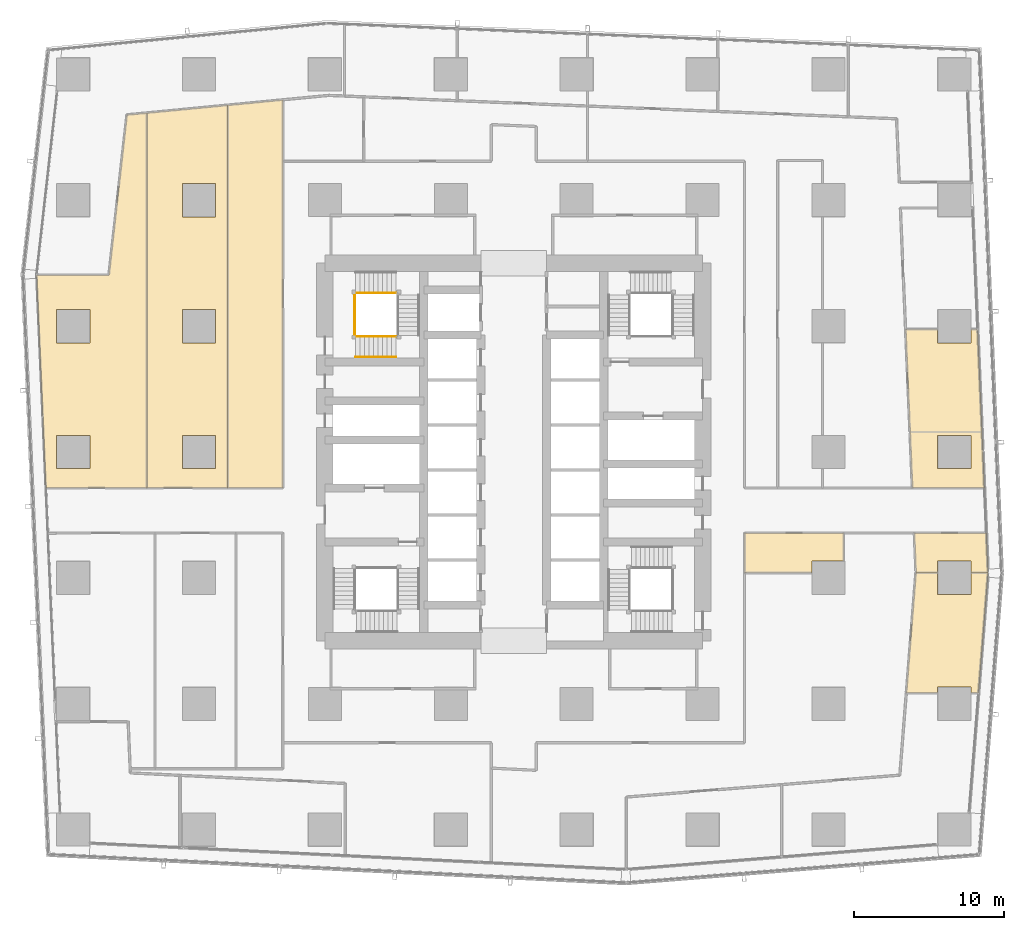
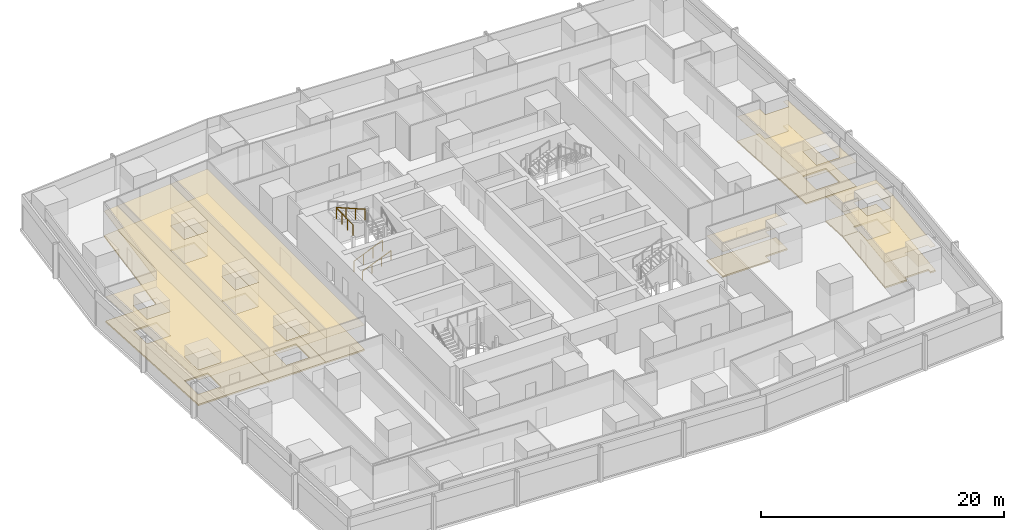
# One storey, part 40 of 44: 14 coverings, 4 railings.
"""IFC4 building model written with IfcOpenShell, lengths in metres."""

import ifcopenshell
import ifcopenshell.guid

model = None  # the IFC model being written
_history = None  # IfcOwnerHistory: only IFC2X3 demands one
_inside = {}  # id of a spatial element -> (the spatial element, [elements in it])
_under = {}  # id of a project, library or spatial element -> (it, [spatial elements below it])
_declared = {}  # id of a project -> (the project, [libraries it declares])
_typed = {}  # id of a type object -> (the type object, [elements of that type])
_made_of = {}  # id of a material, layer set ... -> (it, [elements and type objects made of it])


def new_model(schema):
    """Start an empty IFC model of exactly this schema.

    Asked for "IFC4X3", IfcOpenShell would pick the latest addendum, in which some entities
    have other attributes; the version numbers below select the first issue.
    IFC2X3 requires an IfcOwnerHistory on every rooted entity: one is made here for all.
    """
    global model, _history
    if schema == "IFC4X3":
        model = ifcopenshell.file(schema_version=(4, 3, 0, 0))
    else:
        model = ifcopenshell.file(schema=schema)
    _inside.clear()
    _under.clear()
    _declared.clear()
    _typed.clear()
    _made_of.clear()
    _history = None
    if model.schema == "IFC2X3":
        org = make("IfcOrganization", Name="unknown")
        user = make(
            "IfcPersonAndOrganization",
            ThePerson=make("IfcPerson", FamilyName="unknown"),
            TheOrganization=org,
        )
        app = make(
            "IfcApplication",
            ApplicationDeveloper=org,
            Version="unknown",
            ApplicationFullName="unknown",
            ApplicationIdentifier="unknown",
        )
        _history = make(
            "IfcOwnerHistory",
            OwningUser=user,
            OwningApplication=app,
            ChangeAction="ADDED",
            CreationDate=0,
        )
    return model


def make(cls, **values):
    """One entity of the class cls with the attributes given. An attribute that is None is left unset."""
    return model.create_entity(
        cls, **{name: value for name, value in values.items() if value is not None}
    )


def rooted(cls, **values):
    """An entity with a GlobalId (a new one), such as an element, a storey or a relation."""
    return make(cls, GlobalId=ifcopenshell.guid.new(), OwnerHistory=_history, **values)


def si_unit(unit_type, name, prefix=None):
    """IfcSIUnit, for example si_unit("LENGTHUNIT", "METRE", prefix="MILLI")."""
    return make("IfcSIUnit", UnitType=unit_type, Prefix=prefix, Name=name)


def assignment(units):
    """IfcUnitAssignment: the units of a project."""
    return None if units is None else make("IfcUnitAssignment", Units=units)


def point(xyz):
    """IfcCartesianPoint."""
    return None if xyz is None else make("IfcCartesianPoint", Coordinates=xyz)


def direction(xyz):
    """IfcDirection."""
    return None if xyz is None else make("IfcDirection", DirectionRatios=xyz)


def frame(location, z_axis=None, x_axis=None):
    """IfcAxis2Placement3D, a coordinate frame: its origin and axes. An axis left out is left unset."""
    return make(
        "IfcAxis2Placement3D",
        Location=point(location),
        Axis=direction(z_axis),
        RefDirection=direction(x_axis),
    )


def frame_2d(location, x_axis=None):
    """IfcAxis2Placement2D, a coordinate frame in the plane: its origin and x axis."""
    return make(
        "IfcAxis2Placement2D", Location=point(location), RefDirection=direction(x_axis)
    )


def origin():
    """The frame at (0, 0, 0) with its axes left unset."""
    return frame((0.0, 0.0, 0.0))


def origin_2d():
    """The frame at (0, 0) in the plane with its x axis left unset."""
    return frame_2d((0.0, 0.0))


def place(relative_to, where):
    """IfcLocalPlacement: puts the frame where relative to a parent placement (None: the world)."""
    return make(
        "IfcLocalPlacement", PlacementRelTo=relative_to, RelativePlacement=where
    )


def context(
    kind, dimensions, precision=None, world=None, true_north=None, identifier=None
):
    """IfcGeometricRepresentationContext, for example the 3D "Model" context."""
    return make(
        "IfcGeometricRepresentationContext",
        ContextIdentifier=identifier,
        ContextType=kind,
        CoordinateSpaceDimension=dimensions,
        Precision=precision,
        WorldCoordinateSystem=world,
        TrueNorth=true_north,
    )


def subcontext(parent, identifier, kind, view, scale=None):
    """IfcGeometricRepresentationSubContext, for example "Body" below "Model"."""
    return make(
        "IfcGeometricRepresentationSubContext",
        ContextIdentifier=identifier,
        ContextType=kind,
        ParentContext=parent,
        TargetScale=scale,
        TargetView=view,
    )


def project(units=None, contexts=None):
    """IfcProject with its units and contexts."""
    return rooted(
        "IfcProject",
        Name="project",
        RepresentationContexts=contexts,
        UnitsInContext=assignment(units),
    )


def spatial(cls, under=None, at=None, **own):
    """A site, building, storey or space (cls), placed at a placement, below another one or the project."""
    s = rooted(cls, ObjectPlacement=at, **own)
    if under is not None:
        _under.setdefault(under.id(), (under, []))[1].append(s)
    return s


def polyline(points):
    """IfcPolyline through the points."""
    return make("IfcPolyline", Points=[point(p) for p in points])


def profile(cls, at=None, kind="AREA", **sizes):
    """A parametric profile (cls). Its sizes go by their IFC names, for example OverallWidth=200.0."""
    return make(cls, ProfileType=kind, Position=at, **sizes)


def circle(**sizes):
    """IfcCircleProfileDef."""
    return profile("IfcCircleProfileDef", **sizes)


def outline(outer, holes=None, kind="AREA"):
    """IfcArbitraryClosedProfileDef: a profile drawn as a closed curve; with holes, ...WithVoids."""
    if holes is None:
        return make("IfcArbitraryClosedProfileDef", ProfileType=kind, OuterCurve=outer)
    return make(
        "IfcArbitraryProfileDefWithVoids",
        ProfileType=kind,
        OuterCurve=outer,
        InnerCurves=holes,
    )


def extrude(swept, where, along, depth):
    """IfcExtrudedAreaSolid: the profile swept, set in the frame where, extruded along a direction by depth."""
    return make(
        "IfcExtrudedAreaSolid",
        SweptArea=swept,
        Position=where,
        ExtrudedDirection=direction(along),
        Depth=depth,
    )


def shape(context_of_items, identifier, shape_type, items):
    """IfcShapeRepresentation: the items that make up one representation, for example the "Body"."""
    return make(
        "IfcShapeRepresentation",
        ContextOfItems=context_of_items,
        RepresentationIdentifier=identifier,
        RepresentationType=shape_type,
        Items=items,
    )


def material(Name=None, Category=None):
    """IfcMaterial."""
    return make("IfcMaterial", Name=Name, Category=Category)


def layer(
    of_material, thickness, ventilated=None, Name=None, Category=None, Priority=None
):
    """IfcMaterialLayer: one layer of a wall or slab, of a material (None: an air gap)."""
    return make(
        "IfcMaterialLayer",
        Material=of_material,
        LayerThickness=thickness,
        IsVentilated=ventilated,
        Name=Name,
        Category=Category,
        Priority=Priority,
    )


def layer_set(layers, Name=None):
    """IfcMaterialLayerSet."""
    return make("IfcMaterialLayerSet", MaterialLayers=layers, LayerSetName=Name)


def made_of(thing, what):
    """Note that an element or type object is made of a material, layer set ...; save() writes the relation."""
    if what is not None:
        _made_of.setdefault(what.id(), (what, []))[1].append(thing)
    return thing


def type_object(cls, material=None, **own):
    """A type object (cls), such as IfcWallType, which elements share."""
    return made_of(rooted(cls, **own), material)


def element(
    cls,
    number,
    at=None,
    inside=None,
    cuts=None,
    type_object=None,
    material=None,
    context=None,
    identifier="Body",
    shape_type=None,
    held_by="IfcProductDefinitionShape",
    body=None,
    shapes=None,
    **own,
):
    """One element of the class cls, such as IfcWall. Its Tag is "e" and its number.

    at: its placement. inside: the storey or other place that contains it. cuts: it is an
    opening in that element (IfcRelVoidsElement). A single representation is given by context,
    identifier, shape_type and body (its items); several are given by shapes. held_by: the class
    of the entity that holds the representations. save() writes the other relations.
    """
    e = rooted(cls, Tag="e%d" % number, ObjectPlacement=at, **own)
    if body is not None:
        shapes = [shape(context, identifier, shape_type, body)]
    if shapes is not None:
        e.Representation = make(held_by, Representations=shapes)
    if inside is not None:
        _inside.setdefault(inside.id(), (inside, []))[1].append(e)
    if cuts is not None:
        rooted(
            "IfcRelVoidsElement", RelatingBuildingElement=cuts, RelatedOpeningElement=e
        )
    if type_object is not None:
        _typed.setdefault(type_object.id(), (type_object, []))[1].append(e)
    return made_of(e, material)


def aggregate(whole, parts):
    """IfcRelAggregates: a whole, such as a stair, and the parts it consists of."""
    return rooted("IfcRelAggregates", RelatingObject=whole, RelatedObjects=parts)


def save(model, path):
    """Write the relations noted so far, then the file.

    IfcRelAggregates (storeys below a building ...), IfcRelContainedInSpatialStructure (elements
    in a storey), IfcRelDefinesByType, IfcRelAssociatesMaterial and IfcRelDeclares: one each for
    every whole, place, type object, material and project.
    """
    for whole, parts in _under.values():
        aggregate(whole, parts)
    for where, things in _inside.values():
        rooted(
            "IfcRelContainedInSpatialStructure",
            RelatedElements=things,
            RelatingStructure=where,
        )
    for kind, things in _typed.values():
        rooted("IfcRelDefinesByType", RelatedObjects=things, RelatingType=kind)
    for what, things in _made_of.values():
        rooted("IfcRelAssociatesMaterial", RelatedObjects=things, RelatingMaterial=what)
    for by, libraries in _declared.values():
        rooted("IfcRelDeclares", RelatingContext=by, RelatedDefinitions=libraries)
    model.write(path)


model = new_model("IFC4")

# Units and contexts
model_context = context("Model", 3, precision=1e-05, world=origin(), true_north=direction((0.0, 1.0)))
body_context = subcontext(model_context, "Body", "Model", "MODEL_VIEW")
ifc_project = project(units=[si_unit("LENGTHUNIT", "METRE"), si_unit("AREAUNIT", "SQUARE_METRE"), si_unit("VOLUMEUNIT", "CUBIC_METRE"), si_unit("PLANEANGLEUNIT", "RADIAN"), si_unit("MASSUNIT", "GRAM", prefix="KILO")], contexts=[model_context])

# Site, building, storey
site_placement = place(None, origin())
site = spatial("IfcSite", under=ifc_project, at=site_placement, CompositionType="ELEMENT")
building_placement = place(site_placement, origin())
building = spatial("IfcBuilding", under=site, at=building_placement, Name="Rekha Terrace Tower", CompositionType="ELEMENT")
storey_placement = place(building_placement, frame((0.0, 0.0, 47.89990234375)))
storey = spatial("IfcBuildingStorey", under=building, at=storey_placement, Name="L11", CompositionType="ELEMENT", Elevation=47.89990234375)

# Coverings
ifc_material_1 = material(Name="Mineral fibre tile in exposed grid", Category="finish")
ifc_layer_1 = layer(ifc_material_1, 0.02001953125)
ifc_layer_set_1 = layer_set([ifc_layer_1], Name="Mineral fibre tile in exposed grid")
covering_type_1 = type_object("IfcCoveringType", Name="CL1 600x1200 office grid ceiling", PredefinedType="CEILING", material=ifc_layer_set_1)
covering_1_placement = place(storey_placement, frame((0.0, 0.0, 2.580078125)))
element("IfcCovering", 1, at=covering_1_placement, inside=storey, type_object=covering_type_1, Name="Ceiling L11-04", PredefinedType="CEILING", context=body_context, shape_type="SweptSolid", body=[
    extrude(outline(polyline([(68.31494140625, 17.9150390625), (68.31494140625, 17.52392578125), (68.803955078125, 17.52392578125), (69.44091796875, 25.551025390625), (68.31494140625, 25.551025390625), (68.31494140625, 24.0849609375), (66.0849609375, 24.0849609375), (66.0849609375, 25.551025390625), (64.625, 25.551025390625), (63.989013671875, 17.52392578125), (66.0849609375, 17.52392578125), (66.0849609375, 17.9150390625), (68.31494140625, 17.9150390625)])), origin(), (0.0, 0.0, 1.0), 0.02001953125),
])
covering_2_placement = place(storey_placement, frame((0.0, 0.0, 2.580078125)))
element("IfcCovering", 2, at=covering_2_placement, inside=storey, type_object=covering_type_1, Name="Ceiling L11-05", PredefinedType="CEILING", context=body_context, shape_type="SweptSolid", body=[
    extrude(outline(polyline([(69.43701171875, 25.552001953125), (69.322998046875, 28.199951171875), (64.51904296875, 28.199951171875), (64.632080078125, 25.552001953125), (66.0849609375, 25.552001953125), (66.0849609375, 26.31494140625), (68.31494140625, 26.31494140625), (68.31494140625, 25.552001953125), (69.43701171875, 25.552001953125)])), origin(), (0.0, 0.0, 1.0), 0.02001953125),
])
covering_3_placement = place(storey_placement, frame((0.0, 0.0, 2.580078125)))
element("IfcCovering", 3, at=covering_3_placement, inside=storey, type_object=covering_type_1, Name="Ceiling L11-06", PredefinedType="CEILING", context=body_context, shape_type="SweptSolid", body=[
    extrude(outline(polyline([(59.800048828125, 26.31494140625), (59.800048828125, 28.199951171875), (53.199951171875, 28.199951171875), (53.199951171875, 25.552001953125), (57.68505859375, 25.552001953125), (57.68505859375, 26.31494140625), (59.800048828125, 26.31494140625)])), origin(), (0.0, 0.0, 1.0), 0.02001953125),
])
covering_4_placement = place(storey_placement, frame((0.0, 0.0, 2.580078125)))
element("IfcCovering", 4, at=covering_4_placement, inside=storey, type_object=covering_type_1, Name="Ceiling L11-07", PredefinedType="CEILING", context=body_context, shape_type="SweptSolid", body=[
    extrude(outline(polyline([(69.195068359375, 31.199951171875), (69.035888671875, 34.929931640625), (68.742919921875, 41.781005859375), (68.31494140625, 41.781005859375), (68.31494140625, 40.885009765625), (66.0849609375, 40.885009765625), (66.0849609375, 41.781005859375), (63.93896484375, 41.781005859375), (64.23193359375, 34.930908203125), (64.39111328125, 31.199951171875), (69.195068359375, 31.199951171875)]), holes=[polyline([(68.31494140625, 32.485107421875), (66.0849609375, 32.485107421875), (66.0849609375, 34.715087890625), (68.31494140625, 34.715087890625), (68.31494140625, 32.485107421875)])]), origin(), (0.0, 0.0, 1.0), 0.02001953125),
])
covering_5_placement = place(storey_placement, frame((0.0, 0.0, 2.580078125)))
element("IfcCovering", 5, at=covering_5_placement, inside=storey, type_object=covering_type_1, Name="Ceiling L11-17", PredefinedType="CEILING", context=body_context, shape_type="SweptSolid", body=[
    extrude(outline(polyline([(18.717041015625, 56.741943359375), (15.572021484375, 56.43994140625), (13.31689453125, 56.222900390625), (13.31689453125, 31.199951171875), (18.717041015625, 31.199951171875), (18.717041015625, 56.741943359375)]), holes=[polyline([(17.9150390625, 32.485107421875), (15.68505859375, 32.485107421875), (15.68505859375, 34.715087890625), (17.9150390625, 34.715087890625), (17.9150390625, 32.485107421875)]), polyline([(17.9150390625, 40.885009765625), (15.68505859375, 40.885009765625), (15.68505859375, 43.114990234375), (17.9150390625, 43.114990234375), (17.9150390625, 40.885009765625)]), polyline([(17.9150390625, 49.284912109375), (15.68505859375, 49.284912109375), (15.68505859375, 51.514892578125), (17.9150390625, 51.514892578125), (17.9150390625, 49.284912109375)])]), origin(), (0.0, 0.0, 1.0), 0.02001953125),
])
covering_6_placement = place(storey_placement, frame((0.0, 0.0, 2.580078125)))
element("IfcCovering", 6, at=covering_6_placement, inside=storey, type_object=covering_type_1, Name="Ceiling L11-18", PredefinedType="CEILING", context=body_context, shape_type="SweptSolid", body=[
    extrude(outline(polyline([(22.39990234375, 57.096923828125), (18.717041015625, 56.741943359375), (18.717041015625, 31.199951171875), (22.39990234375, 31.199951171875), (22.39990234375, 57.096923828125)])), origin(), (0.0, 0.0, 1.0), 0.02001953125),
])
covering_7_placement = place(storey_placement, frame((0.0, 0.0, 2.580078125)))
element("IfcCovering", 7, at=covering_7_placement, inside=storey, type_object=covering_type_1, Name="Ceiling L11-O4b", PredefinedType="CEILING", context=body_context, shape_type="SweptSolid", body=[
    extrude(outline(polyline([(13.31689453125, 56.222900390625), (11.989990234375, 56.095947265625), (10.7900390625, 45.412109375), (5.964111328125, 45.412109375), (6.5859375, 31.199951171875), (13.31689453125, 31.199951171875), (13.31689453125, 56.222900390625)]), holes=[polyline([(9.514892578125, 32.485107421875), (7.284912109375, 32.485107421875), (7.284912109375, 34.715087890625), (9.514892578125, 34.715087890625), (9.514892578125, 32.485107421875)]), polyline([(9.514892578125, 40.885009765625), (7.284912109375, 40.885009765625), (7.284912109375, 43.114990234375), (9.514892578125, 43.114990234375), (9.514892578125, 40.885009765625)])]), origin(), (0.0, 0.0, 1.0), 0.02001953125),
])

# Railings
ifc_material_2 = material(Name="Stainless steel balustrade", Category="steel")
railing_type_1 = type_object("IfcRailingType", Name="GR1 1100 stair guard", PredefinedType="GUARDRAIL", material=ifc_material_2)
railing_1_placement = place(storey_placement, frame((27.25, 41.31494140625, 0.125)))
element("IfcRailing", 8, at=railing_1_placement, inside=storey, type_object=railing_type_1, Name="Guard ST4 L11 flight 1", PredefinedType="GUARDRAIL", context=body_context, shape_type="SweptSolid", body=[
    extrude(circle(Radius=0.02392578125, at=origin_2d()), frame((0.0, 0.0, 1.076171875), z_axis=(0.923074453586, 0.0, 0.384621311341), x_axis=(0.0, 1.0, 0.0)), (0.0, 0.0, 1.0), 2.925048828125),
    extrude(circle(Radius=0.02099609375, at=origin_2d()), origin(), (0.0, 0.0, 1.0), 1.052001953125),
    extrude(circle(Radius=0.02099609375, at=origin_2d()), frame((0.89990234375, 0.0, 0.375)), (0.0, 0.0, 1.0), 1.052001953125),
    extrude(circle(Radius=0.02099609375, at=origin_2d()), frame((1.800048828125, 0.0, 0.75)), (0.0, 0.0, 1.0), 1.052001953125),
    extrude(circle(Radius=0.02099609375, at=origin_2d()), frame((2.699951171875, 0.0, 1.125)), (0.0, 0.0, 1.0), 1.052001953125),
])
railing_2_placement = place(storey_placement, frame((29.949951171875, 44.2099609375, 2.625)))
element("IfcRailing", 9, at=railing_2_placement, inside=storey, type_object=railing_type_1, Name="Guard ST4 L11 flight 3", PredefinedType="GUARDRAIL", context=body_context, shape_type="SweptSolid", body=[
    extrude(circle(Radius=0.02392578125, at=origin_2d()), frame((0.0, 0.0, 1.076171875), z_axis=(-0.923074453586, 0.0, 0.384621311341), x_axis=(0.0, -1.0, 0.0)), (0.0, 0.0, 1.0), 2.925048828125),
    extrude(circle(Radius=0.02099609375, at=origin_2d()), origin(), (0.0, 0.0, 1.0), 1.052001953125),
    extrude(circle(Radius=0.02099609375, at=origin_2d()), frame((-0.89990234375, 0.0, 0.375)), (0.0, 0.0, 1.0), 1.052001953125),
    extrude(circle(Radius=0.02099609375, at=origin_2d()), frame((-1.800048828125, 0.0, 0.75)), (0.0, 0.0, 1.0), 1.052001953125),
    extrude(circle(Radius=0.02099609375, at=origin_2d()), frame((-2.699951171875, 0.0, 1.125)), (0.0, 0.0, 1.0), 1.052001953125),
])
railing_3_placement = place(storey_placement, frame((27.18994140625, 41.375, 3.75)))
element("IfcRailing", 10, at=railing_3_placement, inside=storey, type_object=railing_type_1, Name="Guard ST4 L11 landing 4", PredefinedType="GUARDRAIL", context=body_context, shape_type="SweptSolid", body=[
    extrude(circle(Radius=0.02392578125, at=origin_2d()), frame((0.0, 0.0, 1.076171875), z_axis=(0.0, 1.0, 0.0), x_axis=(-1.0, 0.0, 0.0)), (0.0, 0.0, 1.0), 2.77490234375),
    extrude(circle(Radius=0.02099609375, at=origin_2d()), origin(), (0.0, 0.0, 1.0), 1.052001953125),
    extrude(circle(Radius=0.02099609375, at=origin_2d()), frame((0.0, 0.925048828125, 0.0)), (0.0, 0.0, 1.0), 1.052001953125),
    extrude(circle(Radius=0.02099609375, at=origin_2d()), frame((0.0, 1.849853515625, 0.0)), (0.0, 0.0, 1.0), 1.052001953125),
    extrude(circle(Radius=0.02099609375, at=origin_2d()), frame((0.0, 2.77490234375, 0.0)), (0.0, 0.0, 1.0), 1.052001953125),
])
ifc_material_3 = material(Name="Stainless steel tube", Category="steel")
railing_type_2 = type_object("IfcRailingType", Name="HR1 900 stair handrail", PredefinedType="HANDRAIL", material=ifc_material_3)
railing_4_placement = place(storey_placement, frame((27.25, 39.93505859375, 0.125)))
element("IfcRailing", 11, at=railing_4_placement, inside=storey, type_object=railing_type_2, Name="Handrail ST4 L11 flight 1", PredefinedType="HANDRAIL", context=body_context, shape_type="SweptSolid", body=[
    extrude(circle(Radius=0.02392578125, at=origin_2d()), frame((0.0, 0.0, 0.8759765625), z_axis=(0.923074453586, 0.0, 0.384621311341), x_axis=(0.0, 1.0, 0.0)), (0.0, 0.0, 1.0), 2.925048828125),
    extrude(circle(Radius=0.02099609375, at=origin_2d()), origin(), (0.0, 0.0, 1.0), 0.851806640625),
    extrude(circle(Radius=0.02099609375, at=origin_2d()), frame((0.89990234375, 0.0, 0.375)), (0.0, 0.0, 1.0), 0.851806640625),
    extrude(circle(Radius=0.02099609375, at=origin_2d()), frame((1.800048828125, 0.0, 0.75)), (0.0, 0.0, 1.0), 0.851806640625),
    extrude(circle(Radius=0.02099609375, at=origin_2d()), frame((2.699951171875, 0.0, 1.125)), (0.0, 0.0, 1.0), 0.851806640625),
])

# Coverings
ifc_material_4 = material(Name="Calcium sulphate panels on steel pedestals", Category="steel")
ifc_layer_2 = layer(ifc_material_4, 0.14990234375)
ifc_layer_set_2 = layer_set([ifc_layer_2], Name="Calcium sulphate panels on steel pedestals")
covering_type_2 = type_object("IfcCoveringType", Name="RF1 150 raised access floor", PredefinedType="FLOORING", material=ifc_layer_set_2)
covering_8_placement = place(storey_placement, origin())
element("IfcCovering", 12, at=covering_8_placement, inside=storey, type_object=covering_type_2, Name="Raised floor L11-04", PredefinedType="FLOORING", context=body_context, shape_type="SweptSolid", body=[
    extrude(outline(polyline([(68.31494140625, 17.9150390625), (68.31494140625, 17.52392578125), (68.803955078125, 17.52392578125), (69.44091796875, 25.551025390625), (68.31494140625, 25.551025390625), (68.31494140625, 24.0849609375), (66.0849609375, 24.0849609375), (66.0849609375, 25.551025390625), (64.625, 25.551025390625), (63.989013671875, 17.52392578125), (66.0849609375, 17.52392578125), (66.0849609375, 17.9150390625), (68.31494140625, 17.9150390625)])), origin(), (0.0, 0.0, 1.0), 0.150146484375),
])
covering_9_placement = place(storey_placement, origin())
element("IfcCovering", 13, at=covering_9_placement, inside=storey, type_object=covering_type_2, Name="Raised floor L11-05", PredefinedType="FLOORING", context=body_context, shape_type="SweptSolid", body=[
    extrude(outline(polyline([(69.43701171875, 25.552001953125), (69.322998046875, 28.199951171875), (64.51904296875, 28.199951171875), (64.632080078125, 25.552001953125), (66.0849609375, 25.552001953125), (66.0849609375, 26.31494140625), (68.31494140625, 26.31494140625), (68.31494140625, 25.552001953125), (69.43701171875, 25.552001953125)])), origin(), (0.0, 0.0, 1.0), 0.150146484375),
])
covering_10_placement = place(storey_placement, origin())
element("IfcCovering", 14, at=covering_10_placement, inside=storey, type_object=covering_type_2, Name="Raised floor L11-06", PredefinedType="FLOORING", context=body_context, shape_type="SweptSolid", body=[
    extrude(outline(polyline([(59.800048828125, 26.31494140625), (59.800048828125, 28.199951171875), (53.199951171875, 28.199951171875), (53.199951171875, 25.552001953125), (57.68505859375, 25.552001953125), (57.68505859375, 26.31494140625), (59.800048828125, 26.31494140625)])), origin(), (0.0, 0.0, 1.0), 0.150146484375),
])
covering_11_placement = place(storey_placement, origin())
element("IfcCovering", 15, at=covering_11_placement, inside=storey, type_object=covering_type_2, Name="Raised floor L11-07", PredefinedType="FLOORING", context=body_context, shape_type="SweptSolid", body=[
    extrude(outline(polyline([(69.195068359375, 31.199951171875), (69.035888671875, 34.929931640625), (68.742919921875, 41.781005859375), (68.31494140625, 41.781005859375), (68.31494140625, 40.885009765625), (66.0849609375, 40.885009765625), (66.0849609375, 41.781005859375), (63.93896484375, 41.781005859375), (64.23193359375, 34.930908203125), (64.39111328125, 31.199951171875), (69.195068359375, 31.199951171875)]), holes=[polyline([(68.31494140625, 32.485107421875), (66.0849609375, 32.485107421875), (66.0849609375, 34.715087890625), (68.31494140625, 34.715087890625), (68.31494140625, 32.485107421875)])]), origin(), (0.0, 0.0, 1.0), 0.150146484375),
])
covering_12_placement = place(storey_placement, origin())
element("IfcCovering", 16, at=covering_12_placement, inside=storey, type_object=covering_type_2, Name="Raised floor L11-17", PredefinedType="FLOORING", context=body_context, shape_type="SweptSolid", body=[
    extrude(outline(polyline([(18.717041015625, 56.741943359375), (15.572021484375, 56.43994140625), (13.31689453125, 56.222900390625), (13.31689453125, 31.199951171875), (18.717041015625, 31.199951171875), (18.717041015625, 56.741943359375)]), holes=[polyline([(17.9150390625, 32.485107421875), (15.68505859375, 32.485107421875), (15.68505859375, 34.715087890625), (17.9150390625, 34.715087890625), (17.9150390625, 32.485107421875)]), polyline([(17.9150390625, 40.885009765625), (15.68505859375, 40.885009765625), (15.68505859375, 43.114990234375), (17.9150390625, 43.114990234375), (17.9150390625, 40.885009765625)]), polyline([(17.9150390625, 49.284912109375), (15.68505859375, 49.284912109375), (15.68505859375, 51.514892578125), (17.9150390625, 51.514892578125), (17.9150390625, 49.284912109375)])]), origin(), (0.0, 0.0, 1.0), 0.150146484375),
])
covering_13_placement = place(storey_placement, origin())
element("IfcCovering", 17, at=covering_13_placement, inside=storey, type_object=covering_type_2, Name="Raised floor L11-18", PredefinedType="FLOORING", context=body_context, shape_type="SweptSolid", body=[
    extrude(outline(polyline([(22.39990234375, 57.096923828125), (18.717041015625, 56.741943359375), (18.717041015625, 31.199951171875), (22.39990234375, 31.199951171875), (22.39990234375, 57.096923828125)])), origin(), (0.0, 0.0, 1.0), 0.150146484375),
])
covering_14_placement = place(storey_placement, origin())
element("IfcCovering", 18, at=covering_14_placement, inside=storey, type_object=covering_type_2, Name="Raised floor L11-O4b", PredefinedType="FLOORING", context=body_context, shape_type="SweptSolid", body=[
    extrude(outline(polyline([(13.31689453125, 56.222900390625), (11.989990234375, 56.095947265625), (10.7900390625, 45.412109375), (5.964111328125, 45.412109375), (6.5859375, 31.199951171875), (13.31689453125, 31.199951171875), (13.31689453125, 56.222900390625)]), holes=[polyline([(9.514892578125, 32.485107421875), (7.284912109375, 32.485107421875), (7.284912109375, 34.715087890625), (9.514892578125, 34.715087890625), (9.514892578125, 32.485107421875)]), polyline([(9.514892578125, 40.885009765625), (7.284912109375, 40.885009765625), (7.284912109375, 43.114990234375), (9.514892578125, 43.114990234375), (9.514892578125, 40.885009765625)])]), origin(), (0.0, 0.0, 1.0), 0.150146484375),
])

save(model, "model.ifc")
